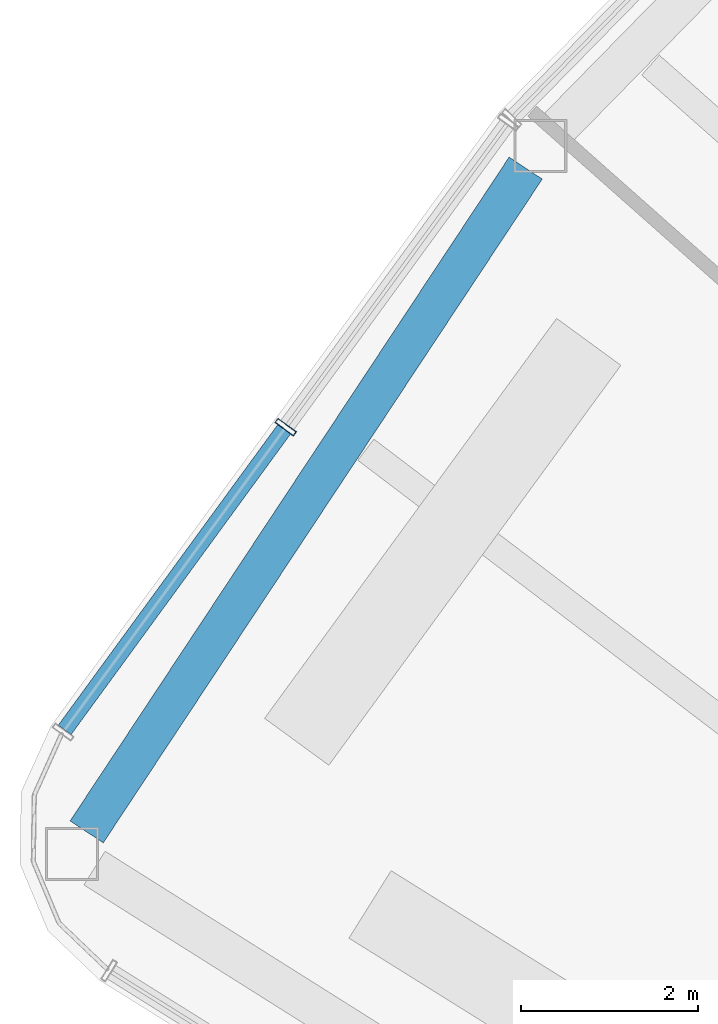
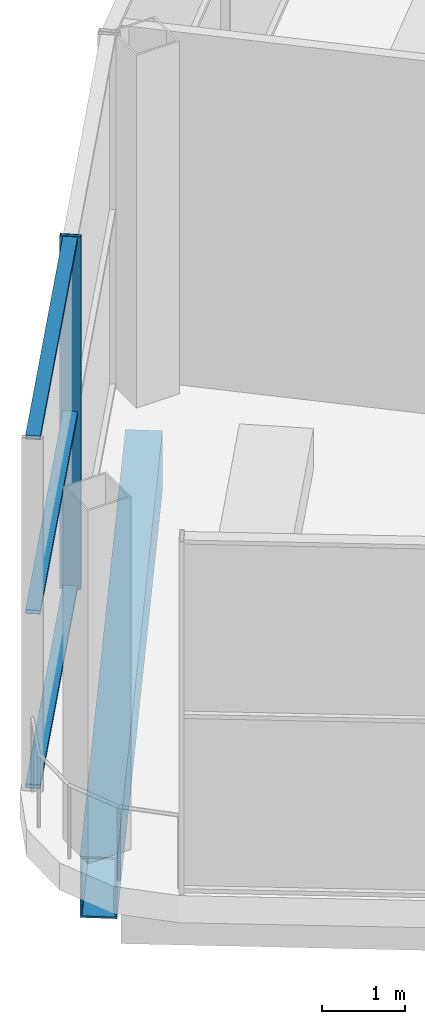
# One storey, part 4 of 44: 4 members, 1 beam, 1 element without a shape of its own.
"""IFC4 building model written with IfcOpenShell, lengths in metres."""

from ifc_helpers import new_model, si_unit, direction, frame, origin, origin_2d, place, context, subcontext, project, spatial, hollow_rectangle, extrude, material, layer, layer_set, material_profile, profile_set, type_object, element, aggregate, save


model = new_model("IFC4")

# Units and contexts
model_context = context("Model", 3, precision=1e-05, world=origin(), true_north=direction((0.0, 1.0)))
body_context = subcontext(model_context, "Body", "Model", "MODEL_VIEW")
ifc_project = project(units=[si_unit("LENGTHUNIT", "METRE"), si_unit("AREAUNIT", "SQUARE_METRE"), si_unit("VOLUMEUNIT", "CUBIC_METRE"), si_unit("PLANEANGLEUNIT", "RADIAN"), si_unit("MASSUNIT", "GRAM", prefix="KILO")], contexts=[model_context])

# Site, building, storey
site_placement = place(None, origin())
site = spatial("IfcSite", under=ifc_project, at=site_placement, CompositionType="ELEMENT")
building_placement = place(site_placement, origin())
building = spatial("IfcBuilding", under=site, at=building_placement, Name="Tuul Gate Civic Tower", CompositionType="ELEMENT")
storey_placement = place(building_placement, frame((0.0, 0.0, 354.60009765625)))
storey = spatial("IfcBuildingStorey", under=building, at=storey_placement, Name="Observation level 2", CompositionType="ELEMENT", Elevation=354.60009765625)

# Curtain wall, members
ifc_material_1 = material(Name="Stainless steel", Category="steel")
ifc_layer = layer(ifc_material_1, 0.199951171875)
ifc_layer_set = layer_set([ifc_layer], Name="Stainless steel")
curtain_wall_type = type_object("IfcCurtainWallType", Name="Curtain wall CW4", PredefinedType="NOTDEFINED", material=ifc_layer_set)
curtain_wall_placement = place(storey_placement, origin())
curtain_wall = element("IfcCurtainWall", 1, at=curtain_wall_placement, inside=storey, type_object=curtain_wall_type, Name="Curtain wall CW4", PredefinedType="NOTDEFINED")
ifc_material_2 = material(Name="Stainless steel", Category="steel")
ifc_material_profile_1 = material_profile(ifc_material_2, hollow_rectangle(XDim=0.260009765625, YDim=0.06005859375, WallThickness=0.006103515625, at=origin_2d()), Name="CW4 mullion")
ifc_profile_set_1 = profile_set([ifc_material_profile_1], Name="Stainless steel")
member_type_1 = type_object("IfcMemberType", Name="CW4 mullion", PredefinedType="MULLION", material=ifc_profile_set_1)
member_1_placement = place(storey_placement, frame((-57.06103515625, -15.469970703125, 0.0), z_axis=(0.0, 0.0, 1.0), x_axis=(0.807578487079, -0.589760109881, 0.0)))
member_1 = element("IfcMember", 2, at=member_1_placement, type_object=member_type_1, Name="Mullion", PredefinedType="MULLION", context=body_context, shape_type="SweptSolid", body=[
    extrude(hollow_rectangle(XDim=0.260009765625, YDim=0.06005859375, WallThickness=0.006103515625, at=origin_2d()), origin(), (0.0, 0.0, 1.0), 5.199951171875),
])
ifc_material_3 = material(Name="Stainless steel", Category="steel")
ifc_material_profile_2 = material_profile(ifc_material_3, hollow_rectangle(XDim=0.179931640625, YDim=0.06005859375, WallThickness=0.006103515625, at=origin_2d()), Name="CW4 transom")
ifc_profile_set_2 = profile_set([ifc_material_profile_2], Name="Stainless steel")
member_type_2 = type_object("IfcMemberType", Name="CW4 transom", PredefinedType="USERDEFINED", material=ifc_profile_set_2)
member_2_placement = place(storey_placement, frame((-57.07861328125, -15.494140625, 0.02978515625), z_axis=(-0.589749140604, -0.807586497631, 0.0), x_axis=(0.807586497631, -0.589749140604, 0.0)))
member_2 = element("IfcMember", 3, at=member_2_placement, type_object=member_type_2, Name="Transom", ObjectType="TRANSOM", PredefinedType="USERDEFINED", context=body_context, shape_type="SweptSolid", body=[
    extrude(hollow_rectangle(XDim=0.179931640625, YDim=0.06005859375, WallThickness=0.006103515625, at=origin_2d()), origin(), (0.0, 0.0, 1.0), 4.211669921875),
])
member_3_placement = place(storey_placement, frame((-57.07861328125, -15.494140625, 2.599853515625), z_axis=(-0.589749140604, -0.807586497631, 0.0), x_axis=(0.807586497631, -0.589749140604, 0.0)))
member_3 = element("IfcMember", 4, at=member_3_placement, type_object=member_type_2, Name="Transom", ObjectType="TRANSOM", PredefinedType="USERDEFINED", context=body_context, shape_type="SweptSolid", body=[
    extrude(hollow_rectangle(XDim=0.179931640625, YDim=0.06005859375, WallThickness=0.006103515625, at=origin_2d()), origin(), (0.0, 0.0, 1.0), 4.211669921875),
])
member_4_placement = place(storey_placement, frame((-57.07861328125, -15.494140625, 5.169921875), z_axis=(-0.589749140604, -0.807586497631, 0.0), x_axis=(0.807586497631, -0.589749140604, 0.0)))
member_4 = element("IfcMember", 5, at=member_4_placement, type_object=member_type_2, Name="Transom", ObjectType="TRANSOM", PredefinedType="USERDEFINED", context=body_context, shape_type="SweptSolid", body=[
    extrude(hollow_rectangle(XDim=0.179931640625, YDim=0.06005859375, WallThickness=0.006103515625, at=origin_2d()), origin(), (0.0, 0.0, 1.0), 4.211669921875),
])
aggregate(curtain_wall, [member_1, member_2, member_3, member_4])

# Beam
ifc_material_4 = material(Name="Steel S355", Category="steel")
ifc_material_profile_3 = material_profile(ifc_material_4, hollow_rectangle(XDim=0.449951171875, YDim=0.89990234375, WallThickness=0.02490234375, at=origin_2d()), Name="BOX900x450x25")
ifc_profile_set_3 = profile_set([ifc_material_profile_3], Name="Steel S355")
beam_type = type_object("IfcBeamType", Name="STR-SPANDREL BEAM-BOX900x450x25", PredefinedType="BEAM", material=ifc_profile_set_3)
beam_placement = place(storey_placement, frame((-54.345458984375, -12.538330078125, -0.85009765625), z_axis=(-0.551649794693, -0.834075838288, 0.0), x_axis=(0.834075838288, -0.551649794693, 0.0)))
element("IfcBeam", 6, at=beam_placement, inside=storey, type_object=beam_type, Name="Spandrel beam", PredefinedType="BEAM", context=body_context, shape_type="SweptSolid", body=[
    extrude(hollow_rectangle(XDim=0.449951171875, YDim=0.89990234375, WallThickness=0.02490234375, at=origin_2d()), origin(), (0.0, 0.0, 1.0), 9.005859375),
])

save(model, "model.ifc")
